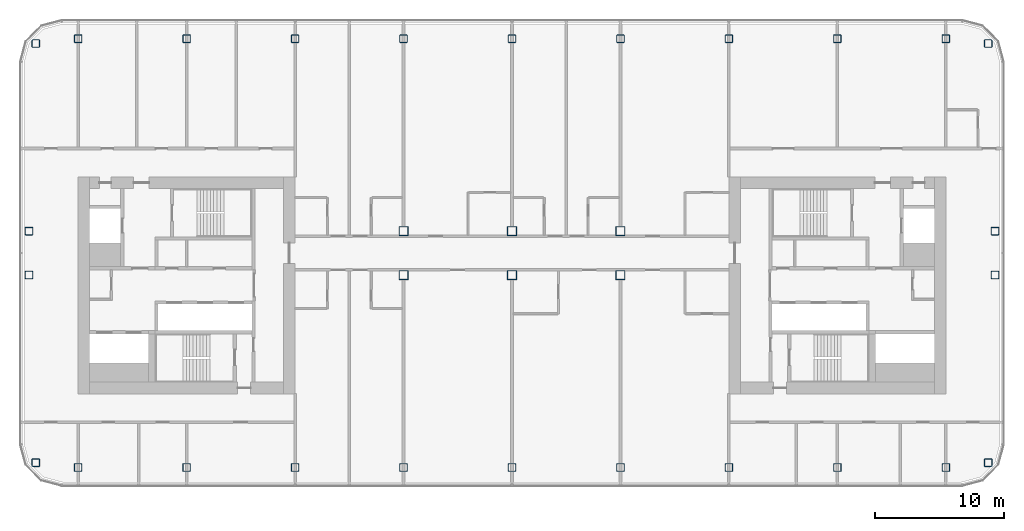
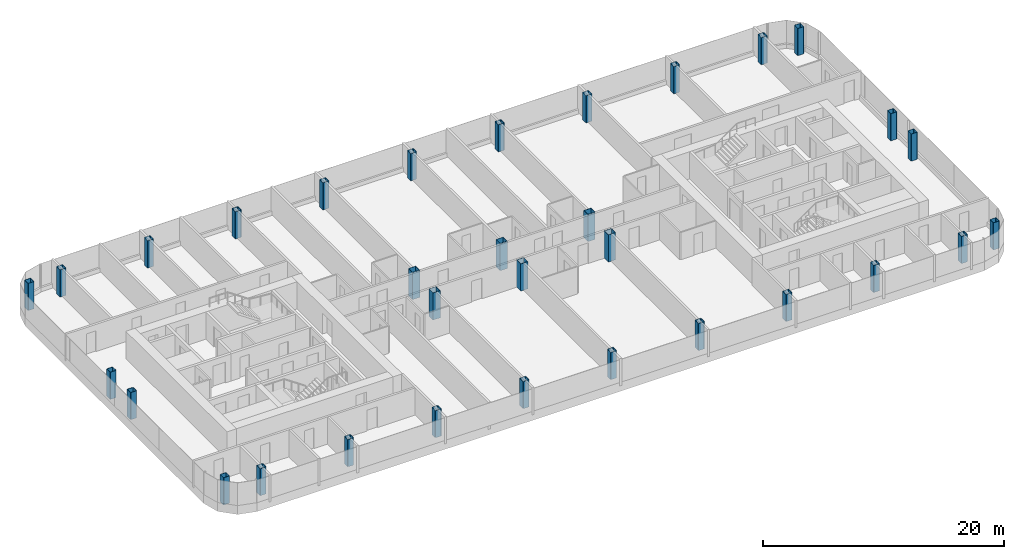
# One storey, part 1 of 26: 32 columns.
"""IFC4 building model written with IfcOpenShell, lengths in metres."""

import ifcopenshell
import ifcopenshell.guid

model = None  # the IFC model being written
_history = None  # IfcOwnerHistory: only IFC2X3 demands one
_inside = {}  # id of a spatial element -> (the spatial element, [elements in it])
_under = {}  # id of a project, library or spatial element -> (it, [spatial elements below it])
_declared = {}  # id of a project -> (the project, [libraries it declares])
_typed = {}  # id of a type object -> (the type object, [elements of that type])
_made_of = {}  # id of a material, layer set ... -> (it, [elements and type objects made of it])


def new_model(schema):
    """Start an empty IFC model of exactly this schema.

    Asked for "IFC4X3", IfcOpenShell would pick the latest addendum, in which some entities
    have other attributes; the version numbers below select the first issue.
    IFC2X3 requires an IfcOwnerHistory on every rooted entity: one is made here for all.
    """
    global model, _history
    if schema == "IFC4X3":
        model = ifcopenshell.file(schema_version=(4, 3, 0, 0))
    else:
        model = ifcopenshell.file(schema=schema)
    _inside.clear()
    _under.clear()
    _declared.clear()
    _typed.clear()
    _made_of.clear()
    _history = None
    if model.schema == "IFC2X3":
        org = make("IfcOrganization", Name="unknown")
        user = make(
            "IfcPersonAndOrganization",
            ThePerson=make("IfcPerson", FamilyName="unknown"),
            TheOrganization=org,
        )
        app = make(
            "IfcApplication",
            ApplicationDeveloper=org,
            Version="unknown",
            ApplicationFullName="unknown",
            ApplicationIdentifier="unknown",
        )
        _history = make(
            "IfcOwnerHistory",
            OwningUser=user,
            OwningApplication=app,
            ChangeAction="ADDED",
            CreationDate=0,
        )
    return model


def make(cls, **values):
    """One entity of the class cls with the attributes given. An attribute that is None is left unset."""
    return model.create_entity(
        cls, **{name: value for name, value in values.items() if value is not None}
    )


def rooted(cls, **values):
    """An entity with a GlobalId (a new one), such as an element, a storey or a relation."""
    return make(cls, GlobalId=ifcopenshell.guid.new(), OwnerHistory=_history, **values)


def si_unit(unit_type, name, prefix=None):
    """IfcSIUnit, for example si_unit("LENGTHUNIT", "METRE", prefix="MILLI")."""
    return make("IfcSIUnit", UnitType=unit_type, Prefix=prefix, Name=name)


def assignment(units):
    """IfcUnitAssignment: the units of a project."""
    return None if units is None else make("IfcUnitAssignment", Units=units)


def point(xyz):
    """IfcCartesianPoint."""
    return None if xyz is None else make("IfcCartesianPoint", Coordinates=xyz)


def direction(xyz):
    """IfcDirection."""
    return None if xyz is None else make("IfcDirection", DirectionRatios=xyz)


def frame(location, z_axis=None, x_axis=None):
    """IfcAxis2Placement3D, a coordinate frame: its origin and axes. An axis left out is left unset."""
    return make(
        "IfcAxis2Placement3D",
        Location=point(location),
        Axis=direction(z_axis),
        RefDirection=direction(x_axis),
    )


def frame_2d(location, x_axis=None):
    """IfcAxis2Placement2D, a coordinate frame in the plane: its origin and x axis."""
    return make(
        "IfcAxis2Placement2D", Location=point(location), RefDirection=direction(x_axis)
    )


def origin():
    """The frame at (0, 0, 0) with its axes left unset."""
    return frame((0.0, 0.0, 0.0))


def origin_2d():
    """The frame at (0, 0) in the plane with its x axis left unset."""
    return frame_2d((0.0, 0.0))


def place(relative_to, where):
    """IfcLocalPlacement: puts the frame where relative to a parent placement (None: the world)."""
    return make(
        "IfcLocalPlacement", PlacementRelTo=relative_to, RelativePlacement=where
    )


def context(
    kind, dimensions, precision=None, world=None, true_north=None, identifier=None
):
    """IfcGeometricRepresentationContext, for example the 3D "Model" context."""
    return make(
        "IfcGeometricRepresentationContext",
        ContextIdentifier=identifier,
        ContextType=kind,
        CoordinateSpaceDimension=dimensions,
        Precision=precision,
        WorldCoordinateSystem=world,
        TrueNorth=true_north,
    )


def subcontext(parent, identifier, kind, view, scale=None):
    """IfcGeometricRepresentationSubContext, for example "Body" below "Model"."""
    return make(
        "IfcGeometricRepresentationSubContext",
        ContextIdentifier=identifier,
        ContextType=kind,
        ParentContext=parent,
        TargetScale=scale,
        TargetView=view,
    )


def project(units=None, contexts=None):
    """IfcProject with its units and contexts."""
    return rooted(
        "IfcProject",
        Name="project",
        RepresentationContexts=contexts,
        UnitsInContext=assignment(units),
    )


def spatial(cls, under=None, at=None, **own):
    """A site, building, storey or space (cls), placed at a placement, below another one or the project."""
    s = rooted(cls, ObjectPlacement=at, **own)
    if under is not None:
        _under.setdefault(under.id(), (under, []))[1].append(s)
    return s


def profile(cls, at=None, kind="AREA", **sizes):
    """A parametric profile (cls). Its sizes go by their IFC names, for example OverallWidth=200.0."""
    return make(cls, ProfileType=kind, Position=at, **sizes)


def hollow_rectangle(**sizes):
    """IfcRectangleHollowProfileDef."""
    return profile("IfcRectangleHollowProfileDef", **sizes)


def extrude(swept, where, along, depth):
    """IfcExtrudedAreaSolid: the profile swept, set in the frame where, extruded along a direction by depth."""
    return make(
        "IfcExtrudedAreaSolid",
        SweptArea=swept,
        Position=where,
        ExtrudedDirection=direction(along),
        Depth=depth,
    )


def shape(context_of_items, identifier, shape_type, items):
    """IfcShapeRepresentation: the items that make up one representation, for example the "Body"."""
    return make(
        "IfcShapeRepresentation",
        ContextOfItems=context_of_items,
        RepresentationIdentifier=identifier,
        RepresentationType=shape_type,
        Items=items,
    )


def material(Name=None, Category=None):
    """IfcMaterial."""
    return make("IfcMaterial", Name=Name, Category=Category)


def material_profile(
    of_material, cross_section, Name=None, Category=None, Priority=None
):
    """IfcMaterialProfile: a cross section and its material."""
    return make(
        "IfcMaterialProfile",
        Name=Name,
        Material=of_material,
        Profile=cross_section,
        Priority=Priority,
        Category=Category,
    )


def profile_set(profiles, Name=None, composite=None):
    """IfcMaterialProfileSet."""
    return make(
        "IfcMaterialProfileSet",
        Name=Name,
        MaterialProfiles=profiles,
        CompositeProfile=composite,
    )


def made_of(thing, what):
    """Note that an element or type object is made of a material, layer set ...; save() writes the relation."""
    if what is not None:
        _made_of.setdefault(what.id(), (what, []))[1].append(thing)
    return thing


def type_object(cls, material=None, **own):
    """A type object (cls), such as IfcWallType, which elements share."""
    return made_of(rooted(cls, **own), material)


def element(
    cls,
    number,
    at=None,
    inside=None,
    cuts=None,
    type_object=None,
    material=None,
    context=None,
    identifier="Body",
    shape_type=None,
    held_by="IfcProductDefinitionShape",
    body=None,
    shapes=None,
    **own,
):
    """One element of the class cls, such as IfcWall. Its Tag is "e" and its number.

    at: its placement. inside: the storey or other place that contains it. cuts: it is an
    opening in that element (IfcRelVoidsElement). A single representation is given by context,
    identifier, shape_type and body (its items); several are given by shapes. held_by: the class
    of the entity that holds the representations. save() writes the other relations.
    """
    e = rooted(cls, Tag="e%d" % number, ObjectPlacement=at, **own)
    if body is not None:
        shapes = [shape(context, identifier, shape_type, body)]
    if shapes is not None:
        e.Representation = make(held_by, Representations=shapes)
    if inside is not None:
        _inside.setdefault(inside.id(), (inside, []))[1].append(e)
    if cuts is not None:
        rooted(
            "IfcRelVoidsElement", RelatingBuildingElement=cuts, RelatedOpeningElement=e
        )
    if type_object is not None:
        _typed.setdefault(type_object.id(), (type_object, []))[1].append(e)
    return made_of(e, material)


def aggregate(whole, parts):
    """IfcRelAggregates: a whole, such as a stair, and the parts it consists of."""
    return rooted("IfcRelAggregates", RelatingObject=whole, RelatedObjects=parts)


def save(model, path):
    """Write the relations noted so far, then the file.

    IfcRelAggregates (storeys below a building ...), IfcRelContainedInSpatialStructure (elements
    in a storey), IfcRelDefinesByType, IfcRelAssociatesMaterial and IfcRelDeclares: one each for
    every whole, place, type object, material and project.
    """
    for whole, parts in _under.values():
        aggregate(whole, parts)
    for where, things in _inside.values():
        rooted(
            "IfcRelContainedInSpatialStructure",
            RelatedElements=things,
            RelatingStructure=where,
        )
    for kind, things in _typed.values():
        rooted("IfcRelDefinesByType", RelatedObjects=things, RelatingType=kind)
    for what, things in _made_of.values():
        rooted("IfcRelAssociatesMaterial", RelatedObjects=things, RelatingMaterial=what)
    for by, libraries in _declared.values():
        rooted("IfcRelDeclares", RelatingContext=by, RelatedDefinitions=libraries)
    model.write(path)


model = new_model("IFC4")

# Units and contexts
model_context = context("Model", 3, precision=1e-05, world=origin(), true_north=direction((0.0, 1.0)))
body_context = subcontext(model_context, "Body", "Model", "MODEL_VIEW")
ifc_project = project(units=[si_unit("LENGTHUNIT", "METRE"), si_unit("AREAUNIT", "SQUARE_METRE"), si_unit("VOLUMEUNIT", "CUBIC_METRE"), si_unit("PLANEANGLEUNIT", "RADIAN"), si_unit("MASSUNIT", "GRAM", prefix="KILO")], contexts=[model_context])

# Site, building, storey
site_placement = place(None, origin())
site = spatial("IfcSite", under=ifc_project, at=site_placement, CompositionType="ELEMENT")
building_placement = place(site_placement, origin())
building = spatial("IfcBuilding", under=site, at=building_placement, Name="Hakoniwa Tower and Hamabe Station Hall", CompositionType="ELEMENT")
storey_placement = place(building_placement, frame((0.0, 0.0, 212.199951171875)))
storey = spatial("IfcBuildingStorey", under=building, at=storey_placement, Name="L60", CompositionType="ELEMENT", Elevation=212.199951171875)

# Columns
ifc_material_1 = material(Name="Steel BCP325", Category="steel")
ifc_material_profile_1 = material_profile(ifc_material_1, hollow_rectangle(XDim=0.60009765625, YDim=0.60009765625, WallThickness=0.02490234375, InnerFilletRadius=0.03759765625, OuterFilletRadius=0.0625, at=origin_2d()), Name="BCP-600x600x25")
ifc_profile_set_1 = profile_set([ifc_material_profile_1], Name="Steel BCP325")
column_type_1 = type_object("IfcColumnType", Name="COLUMN BCP-600x600x25", PredefinedType="COLUMN", material=ifc_profile_set_1)
for number, where, z_axis, x_axis, name in (
    (1, (-36.877685546875, -13.728515625, 0.0), (0.0, 0.0, 1.0), (1.0, 0.0, 0.0), "Column B4-EW-A4"),
    (2, (-37.39990234375, 0.800048828125, 0.0), (0.0, 0.0, 1.0), (1.0, 0.0, 0.0), "Column B4-EW-C4"),
    (3, (-37.39990234375, 4.199951171875, 0.0), (0.0, 0.0, 1.0), (1.0, 0.0, 0.0), "Column B4-EW-D4"),
    (4, (-36.877685546875, 18.728515625, 0.0), (0.0, 0.0, 1.0), (1.0, 0.0, 0.0), "Column B4-EW-F4"),
    (5, (-33.60009765625, -14.10009765625, 0.0), (0.0, 0.0, 1.0), (1.0, 0.0, 0.0), "Column B4-3-A4"),
    (6, (-33.60009765625, 19.10009765625, 0.0), (0.0, 0.0, 1.0), (1.0, 0.0, 0.0), "Column B4-3-F4"),
    (7, (-25.199951171875, -14.10009765625, 0.0), (0.0, 0.0, 1.0), (1.0, 0.0, 0.0), "Column B4-4-A4"),
    (8, (-25.199951171875, 19.10009765625, 0.0), (0.0, 0.0, 1.0), (1.0, 0.0, 0.0), "Column B4-4-F4"),
    (9, (-16.800048828125, -14.10009765625, 0.0), (0.0, 0.0, 1.0), (1.0, 0.0, 0.0), "Column B4-5-A4"),
    (10, (-16.800048828125, 19.10009765625, 0.0), (0.0, 0.0, 1.0), (1.0, 0.0, 0.0), "Column B4-5-F4"),
    (11, (-8.39990234375, -14.10009765625, 0.0), (0.0, 0.0, 1.0), (1.0, 0.0, 0.0), "Column B4-6-A4"),
    (12, (-8.39990234375, 19.10009765625, 0.0), (0.0, 0.0, 1.0), (1.0, 0.0, 0.0), "Column B4-6-F4"),
    (13, (0.0, -14.10009765625, 0.0), (0.0, 0.0, 1.0), (1.0, 0.0, 0.0), "Column B4-7-A4"),
    (14, (0.0, 19.10009765625, 0.0), (0.0, 0.0, 1.0), (1.0, 0.0, 0.0), "Column B4-7-F4"),
    (15, (8.39990234375, -14.10009765625, 0.0), (0.0, 0.0, 1.0), (1.0, 0.0, 0.0), "Column B4-8-A4"),
    (16, (8.39990234375, 19.10009765625, 0.0), (0.0, 0.0, 1.0), (1.0, 0.0, 0.0), "Column B4-8-F4"),
    (17, (16.800048828125, -14.10009765625, 0.0), (0.0, 0.0, 1.0), (1.0, 0.0, 0.0), "Column B4-9-A4"),
    (18, (16.800048828125, 19.10009765625, 0.0), (0.0, 0.0, 1.0), (1.0, 0.0, 0.0), "Column B4-9-F4"),
    (19, (25.199951171875, -14.10009765625, 0.0), (0.0, 0.0, 1.0), (1.0, 0.0, 0.0), "Column B4-10-A4"),
    (20, (25.199951171875, 19.10009765625, 0.0), (0.0, 0.0, 1.0), (1.0, 0.0, 0.0), "Column B4-10-F4"),
    (21, (33.60009765625, -14.10009765625, 0.0), (0.0, 0.0, 1.0), (1.0, 0.0, 0.0), "Column B4-11-A4"),
    (22, (33.60009765625, 19.10009765625, 0.0), (0.0, 0.0, 1.0), (1.0, 0.0, 0.0), "Column B4-11-F4"),
    (23, (36.877685546875, -13.728515625, 0.0), (0.0, 0.0, 1.0), (1.0, 0.0, 0.0), "Column B4-EE-A4"),
    (24, (37.39990234375, 0.800048828125, 0.0), (0.0, 0.0, 1.0), (1.0, 0.0, 0.0), "Column B4-EE-C4"),
    (25, (37.39990234375, 4.199951171875, 0.0), (0.0, 0.0, 1.0), (1.0, 0.0, 0.0), "Column B4-EE-D4"),
    (26, (36.877685546875, 18.728515625, 0.0), (0.0, 0.0, 1.0), (1.0, 0.0, 0.0), "Column B4-EE-F4"),
):
    element("IfcColumn", number, at=place(storey_placement, frame(where, z_axis=z_axis, x_axis=x_axis)), inside=storey, type_object=column_type_1, Name=name, PredefinedType="COLUMN", context=body_context, shape_type="SweptSolid", body=[
        extrude(hollow_rectangle(XDim=0.60009765625, YDim=0.60009765625, WallThickness=0.02490234375, InnerFilletRadius=0.03759765625, OuterFilletRadius=0.0625, at=origin_2d()), origin(), (0.0, 0.0, 1.0), 2.75),
    ])
ifc_material_2 = material(Name="Steel SN490C", Category="steel")
ifc_material_profile_2 = material_profile(ifc_material_2, hollow_rectangle(XDim=0.699951171875, YDim=0.699951171875, WallThickness=0.028076171875, at=origin_2d()), Name="BX-700x700x28")
ifc_profile_set_2 = profile_set([ifc_material_profile_2], Name="Steel SN490C")
column_type_2 = type_object("IfcColumnType", Name="COLUMN BX-700x700x28", PredefinedType="COLUMN", material=ifc_profile_set_2)
for number, where, z_axis, x_axis, name in (
    (27, (-8.39990234375, 0.800048828125, 0.0), (0.0, 0.0, 1.0), (1.0, 0.0, 0.0), "Column B4-6-C4"),
    (28, (-8.39990234375, 4.199951171875, 0.0), (0.0, 0.0, 1.0), (1.0, 0.0, 0.0), "Column B4-6-D4"),
    (29, (0.0, 0.800048828125, 0.0), (0.0, 0.0, 1.0), (1.0, 0.0, 0.0), "Column B4-7-C4"),
    (30, (0.0, 4.199951171875, 0.0), (0.0, 0.0, 1.0), (1.0, 0.0, 0.0), "Column B4-7-D4"),
    (31, (8.39990234375, 0.800048828125, 0.0), (0.0, 0.0, 1.0), (1.0, 0.0, 0.0), "Column B4-8-C4"),
    (32, (8.39990234375, 4.199951171875, 0.0), (0.0, 0.0, 1.0), (1.0, 0.0, 0.0), "Column B4-8-D4"),
):
    element("IfcColumn", number, at=place(storey_placement, frame(where, z_axis=z_axis, x_axis=x_axis)), inside=storey, type_object=column_type_2, Name=name, PredefinedType="COLUMN", context=body_context, shape_type="SweptSolid", body=[
        extrude(hollow_rectangle(XDim=0.699951171875, YDim=0.699951171875, WallThickness=0.028076171875, at=origin_2d()), origin(), (0.0, 0.0, 1.0), 2.75),
    ])

save(model, "model.ifc")
